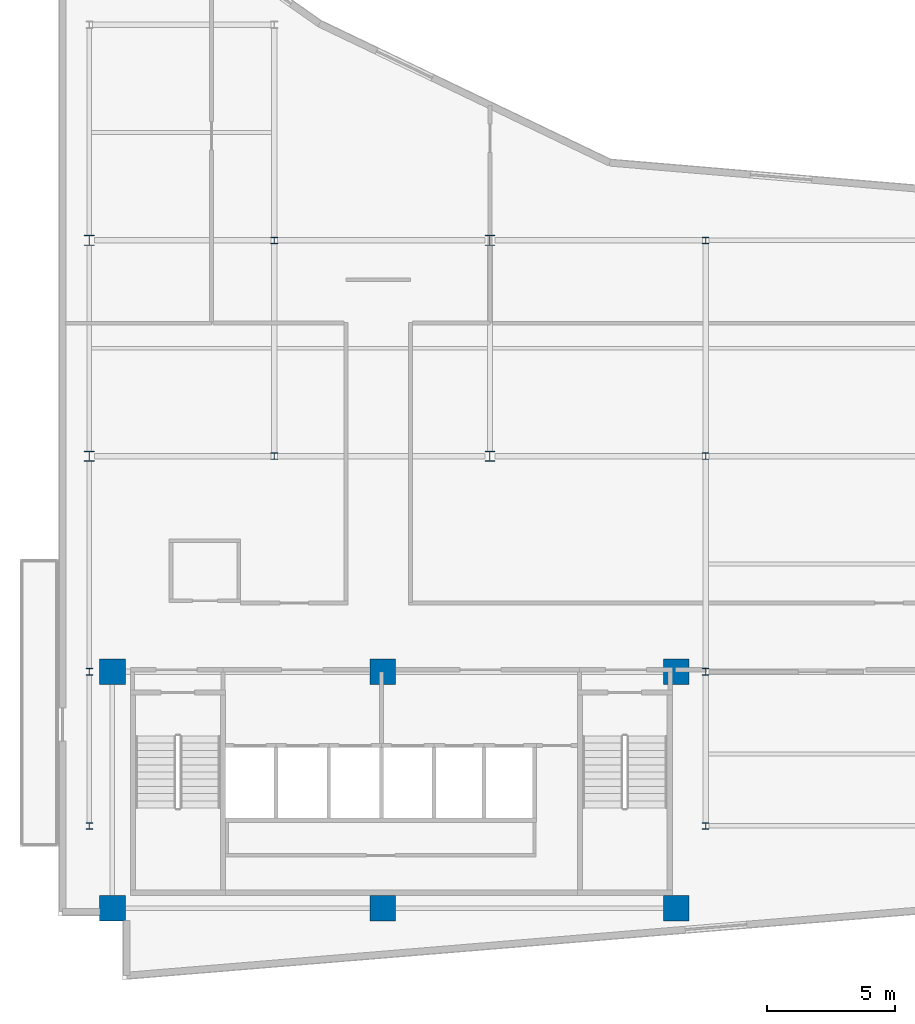
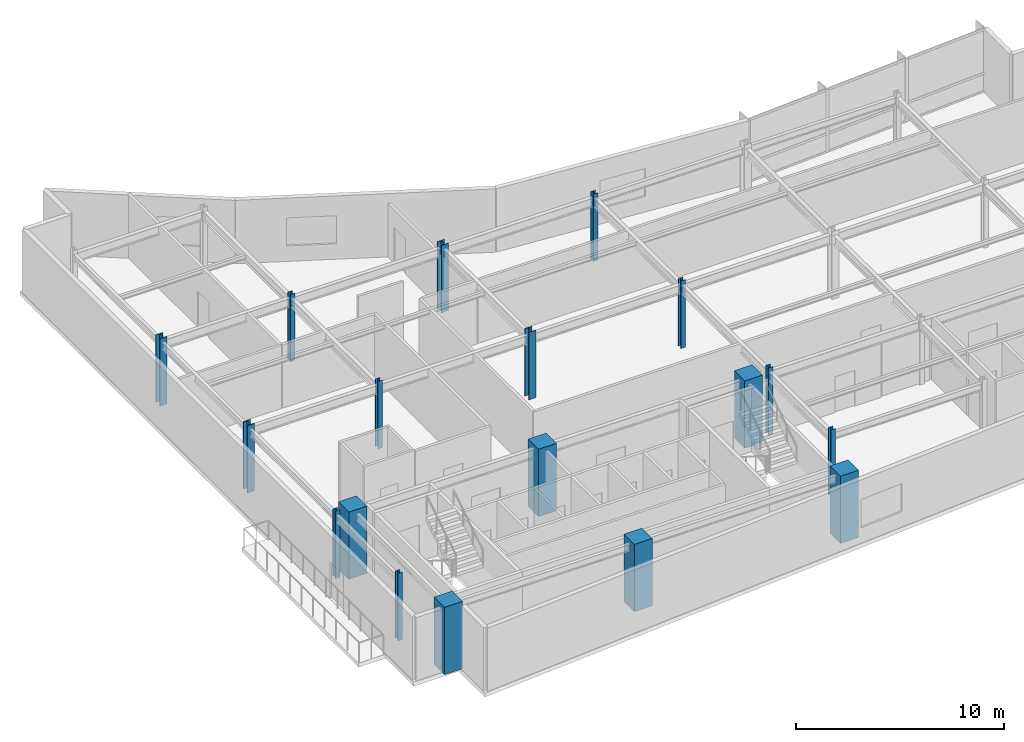
# One storey, part 1 of 16: 18 columns.
"""IFC4 building model written with IfcOpenShell, lengths in metres."""

from ifc_helpers import new_model, si_unit, direction, frame, origin, origin_2d, place, context, subcontext, project, spatial, rectangle, i_section, extrude, material, material_profile, profile_set, type_object, element, save


model = new_model("IFC4")

# Units and contexts
model_context = context("Model", 3, precision=1e-05, world=origin(), true_north=direction((0.0, 1.0)))
body_context = subcontext(model_context, "Body", "Model", "MODEL_VIEW")
ifc_project = project(units=[si_unit("LENGTHUNIT", "METRE"), si_unit("AREAUNIT", "SQUARE_METRE"), si_unit("VOLUMEUNIT", "CUBIC_METRE"), si_unit("PLANEANGLEUNIT", "RADIAN"), si_unit("MASSUNIT", "GRAM", prefix="KILO")], contexts=[model_context])

# Site, building, storey
site_placement = place(None, origin())
site = spatial("IfcSite", under=ifc_project, at=site_placement, CompositionType="ELEMENT")
building_placement = place(site_placement, origin())
building = spatial("IfcBuilding", under=site, at=building_placement, Name="Varnakote Quay Hospital", CompositionType="ELEMENT")
storey_placement = place(building_placement, frame((0.0, 0.0, 180.25)))
storey = spatial("IfcBuildingStorey", under=building, at=storey_placement, Name="L44", CompositionType="ELEMENT", Elevation=180.25)

# Columns
ifc_material_1 = material(Name="Concrete N65 (f'c 65 MPa)", Category="concrete")
ifc_material_profile_1 = material_profile(ifc_material_1, rectangle(XDim=1.0, YDim=1.0, at=origin_2d()), Name="RC-COL-1000x1000")
ifc_profile_set_1 = profile_set([ifc_material_profile_1], Name="Concrete N65 (f'c 65 MPa)")
column_type_1 = type_object("IfcColumnType", Name="COL-RC-1000", PredefinedType="COLUMN", material=ifc_profile_set_1)
for number, where, z_axis, x_axis, name in (
    (1, (2.10009765625, 2.800048828125, 0.0), (0.0, 0.0, 1.0), (1.0, 0.0, 0.0), "L44 Structural Column C-2-3"),
    (2, (12.6201171875, 2.800048828125, 0.0), (0.0, 0.0, 1.0), (1.0, 0.0, 0.0), "L44 Structural Column C-13-3"),
    (3, (24.050048828125, 2.800048828125, 0.0), (0.0, 0.0, 1.0), (1.0, 0.0, 0.0), "L44 Structural Column C-24-3"),
    (4, (2.10009765625, 12.0, 0.0), (0.0, 0.0, 1.0), (1.0, 0.0, 0.0), "L44 Structural Column C-2-12"),
    (5, (12.6201171875, 12.0, 0.0), (0.0, 0.0, 1.0), (1.0, 0.0, 0.0), "L44 Structural Column C-13-12"),
    (6, (24.050048828125, 12.0, 0.0), (0.0, 0.0, 1.0), (1.0, 0.0, 0.0), "L44 Structural Column C-24-12"),
):
    element("IfcColumn", number, at=place(storey_placement, frame(where, z_axis=z_axis, x_axis=x_axis)), inside=storey, type_object=column_type_1, Name=name, PredefinedType="COLUMN", context=body_context, shape_type="SweptSolid", body=[
        extrude(rectangle(XDim=1.0, YDim=1.0, at=origin_2d()), origin(), (0.0, 0.0, 1.0), 3.949951171875),
    ])
ifc_material_2 = material(Name="Structural steel AS/NZS 3679.1 Grade 350 L0 (fy 340 MPa)", Category="steel")
ifc_material_profile_2 = material_profile(ifc_material_2, i_section(OverallWidth=0.256103515625, OverallDepth=0.260009765625, WebThickness=0.010498046875, FlangeThickness=0.017333984375, FilletRadius=0.0126953125, at=origin_2d()), Name="250UC89.5")
ifc_profile_set_2 = profile_set([ifc_material_profile_2], Name="Structural steel AS/NZS 3679.1 Grade 350 L0 (fy 340 MPa)")
column_type_2 = type_object("IfcColumnType", Name="COL-STL-250UC89-5", PredefinedType="COLUMN", material=ifc_profile_set_2)
for number, where, z_axis, x_axis, name in (
    (7, (1.199951171875, 6.0, 0.0), (0.0, 0.0, 1.0), (1.0, 0.0, 0.0), "L44 Structural Column C-1-6"),
    (8, (25.199951171875, 6.0, 0.0), (0.0, 0.0, 1.0), (1.0, 0.0, 0.0), "L44 Structural Column C-25-6"),
    (9, (1.199951171875, 12.0, 0.0), (0.0, 0.0, 1.0), (1.0, 0.0, 0.0), "L44 Structural Column C-1-12"),
    (10, (25.199951171875, 12.0, 0.0), (0.0, 0.0, 1.0), (1.0, 0.0, 0.0), "L44 Structural Column C-25-12"),
    (11, (8.39990234375, 20.39990234375, 0.0), (0.0, 0.0, 1.0), (1.0, 0.0, 0.0), "L44 Structural Column C-8-20"),
    (12, (25.199951171875, 20.39990234375, 0.0), (0.0, 0.0, 1.0), (1.0, 0.0, 0.0), "L44 Structural Column C-25-20"),
    (13, (8.39990234375, 28.800048828125, 0.0), (0.0, 0.0, 1.0), (1.0, 0.0, 0.0), "L44 Structural Column C-8-29"),
    (14, (25.199951171875, 28.800048828125, 0.0), (0.0, 0.0, 1.0), (1.0, 0.0, 0.0), "L44 Structural Column C-25-29"),
):
    element("IfcColumn", number, at=place(storey_placement, frame(where, z_axis=z_axis, x_axis=x_axis)), inside=storey, type_object=column_type_2, Name=name, PredefinedType="COLUMN", context=body_context, shape_type="SweptSolid", body=[
        extrude(i_section(OverallWidth=0.256103515625, OverallDepth=0.260009765625, WebThickness=0.010498046875, FlangeThickness=0.017333984375, FilletRadius=0.0126953125, at=origin_2d()), origin(), (0.0, 0.0, 1.0), 3.949951171875),
    ])
ifc_material_3 = material(Name="Structural steel AS/NZS 3678 Grade 350 (fy 340 MPa)", Category="steel")
ifc_material_profile_3 = material_profile(ifc_material_3, i_section(OverallWidth=0.39990234375, OverallDepth=0.404052734375, WebThickness=0.02001953125, FlangeThickness=0.031982421875, at=origin_2d()), Name="400WC270")
ifc_profile_set_3 = profile_set([ifc_material_profile_3], Name="Structural steel AS/NZS 3678 Grade 350 (fy 340 MPa)")
column_type_3 = type_object("IfcColumnType", Name="COL-STL-400WC270", PredefinedType="COLUMN", material=ifc_profile_set_3)
for number, where, z_axis, x_axis, name in (
    (15, (1.199951171875, 20.39990234375, 0.0), (0.0, 0.0, 1.0), (1.0, 0.0, 0.0), "L44 Structural Column C-1-20"),
    (16, (16.800048828125, 20.39990234375, 0.0), (0.0, 0.0, 1.0), (1.0, 0.0, 0.0), "L44 Structural Column C-17-20"),
    (17, (1.199951171875, 28.800048828125, 0.0), (0.0, 0.0, 1.0), (1.0, 0.0, 0.0), "L44 Structural Column C-1-29"),
    (18, (16.800048828125, 28.800048828125, 0.0), (0.0, 0.0, 1.0), (1.0, 0.0, 0.0), "L44 Structural Column C-17-29"),
):
    element("IfcColumn", number, at=place(storey_placement, frame(where, z_axis=z_axis, x_axis=x_axis)), inside=storey, type_object=column_type_3, Name=name, PredefinedType="COLUMN", context=body_context, shape_type="SweptSolid", body=[
        extrude(i_section(OverallWidth=0.39990234375, OverallDepth=0.404052734375, WebThickness=0.02001953125, FlangeThickness=0.031982421875, at=origin_2d()), origin(), (0.0, 0.0, 1.0), 3.949951171875),
    ])

save(model, "model.ifc")
